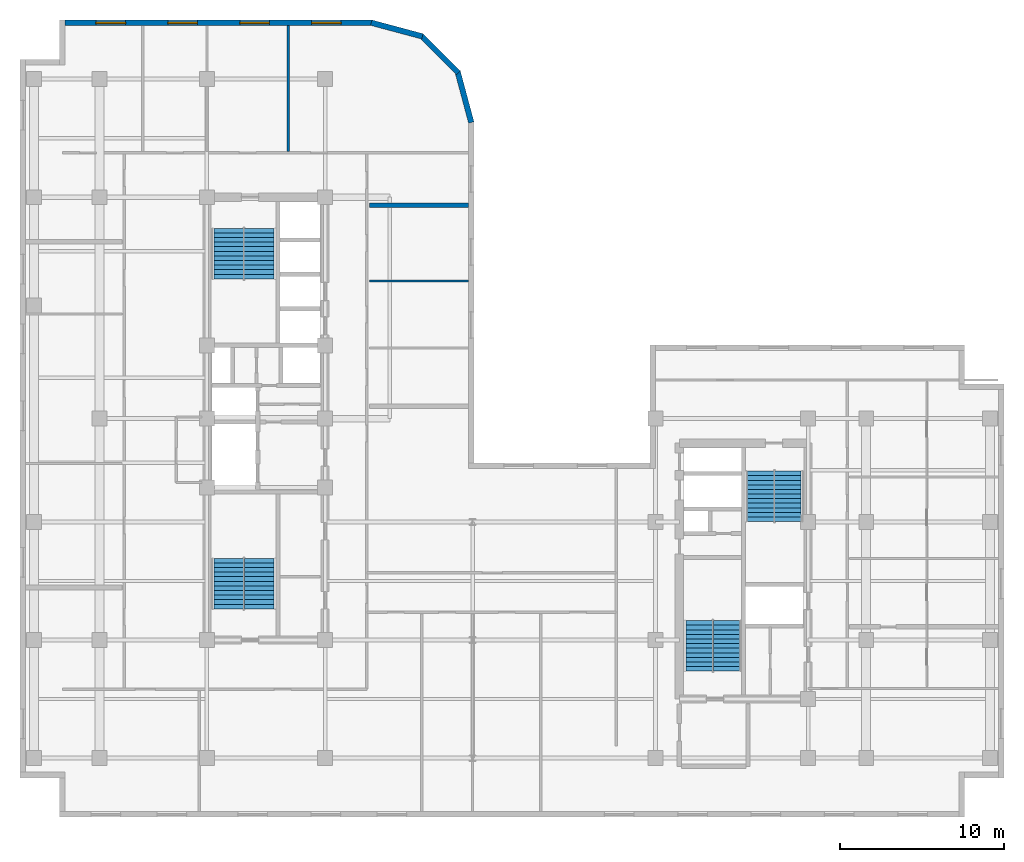
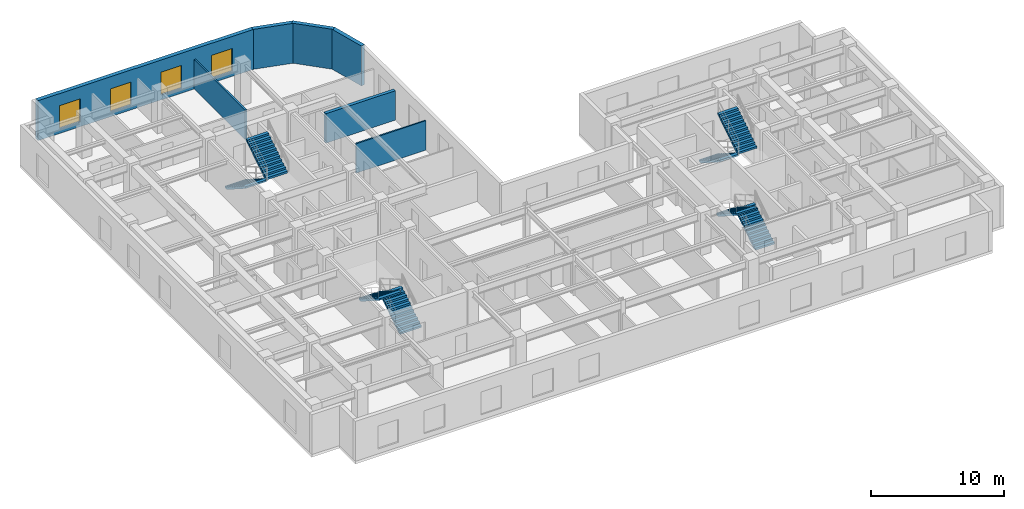
# One storey, part 8 of 11: 8 stair flights, 7 walls, 4 windows, 4 openings, 4 elements without a shape of their own.
"""IFC4 building model written with IfcOpenShell, lengths in metres."""

import ifcopenshell
import ifcopenshell.guid

model = None  # the IFC model being written
_history = None  # IfcOwnerHistory: only IFC2X3 demands one
_inside = {}  # id of a spatial element -> (the spatial element, [elements in it])
_under = {}  # id of a project, library or spatial element -> (it, [spatial elements below it])
_declared = {}  # id of a project -> (the project, [libraries it declares])
_typed = {}  # id of a type object -> (the type object, [elements of that type])
_made_of = {}  # id of a material, layer set ... -> (it, [elements and type objects made of it])


def new_model(schema):
    """Start an empty IFC model of exactly this schema.

    Asked for "IFC4X3", IfcOpenShell would pick the latest addendum, in which some entities
    have other attributes; the version numbers below select the first issue.
    IFC2X3 requires an IfcOwnerHistory on every rooted entity: one is made here for all.
    """
    global model, _history
    if schema == "IFC4X3":
        model = ifcopenshell.file(schema_version=(4, 3, 0, 0))
    else:
        model = ifcopenshell.file(schema=schema)
    _inside.clear()
    _under.clear()
    _declared.clear()
    _typed.clear()
    _made_of.clear()
    _history = None
    if model.schema == "IFC2X3":
        org = make("IfcOrganization", Name="unknown")
        user = make(
            "IfcPersonAndOrganization",
            ThePerson=make("IfcPerson", FamilyName="unknown"),
            TheOrganization=org,
        )
        app = make(
            "IfcApplication",
            ApplicationDeveloper=org,
            Version="unknown",
            ApplicationFullName="unknown",
            ApplicationIdentifier="unknown",
        )
        _history = make(
            "IfcOwnerHistory",
            OwningUser=user,
            OwningApplication=app,
            ChangeAction="ADDED",
            CreationDate=0,
        )
    return model


def make(cls, **values):
    """One entity of the class cls with the attributes given. An attribute that is None is left unset."""
    return model.create_entity(
        cls, **{name: value for name, value in values.items() if value is not None}
    )


def entity(cls, *values):
    """Any entity or typed value of the class cls, its attributes in the order of the schema. None: left unset."""
    e = model.create_entity(cls)
    for i, value in enumerate(values):
        if value is not None:
            e[i] = value
    return e


def rooted(cls, **values):
    """An entity with a GlobalId (a new one), such as an element, a storey or a relation."""
    return make(cls, GlobalId=ifcopenshell.guid.new(), OwnerHistory=_history, **values)


def si_unit(unit_type, name, prefix=None):
    """IfcSIUnit, for example si_unit("LENGTHUNIT", "METRE", prefix="MILLI")."""
    return make("IfcSIUnit", UnitType=unit_type, Prefix=prefix, Name=name)


def converted_unit(unit_type, name, factor, base, dimensions=None, offset=None):
    """IfcConversionBasedUnit, such as the inch: factor (a typed value) times the base unit."""
    return make(
        "IfcConversionBasedUnit"
        if offset is None
        else "IfcConversionBasedUnitWithOffset",
        ConversionOffset=offset,
        Dimensions=None
        if dimensions is None
        else entity("IfcDimensionalExponents", *dimensions),
        UnitType=unit_type,
        Name=name,
        ConversionFactor=make(
            "IfcMeasureWithUnit", ValueComponent=factor, UnitComponent=base
        ),
    )


def assignment(units):
    """IfcUnitAssignment: the units of a project."""
    return None if units is None else make("IfcUnitAssignment", Units=units)


def point(xyz):
    """IfcCartesianPoint."""
    return None if xyz is None else make("IfcCartesianPoint", Coordinates=xyz)


def direction(xyz):
    """IfcDirection."""
    return None if xyz is None else make("IfcDirection", DirectionRatios=xyz)


def frame(location, z_axis=None, x_axis=None):
    """IfcAxis2Placement3D, a coordinate frame: its origin and axes. An axis left out is left unset."""
    return make(
        "IfcAxis2Placement3D",
        Location=point(location),
        Axis=direction(z_axis),
        RefDirection=direction(x_axis),
    )


def frame_2d(location, x_axis=None):
    """IfcAxis2Placement2D, a coordinate frame in the plane: its origin and x axis."""
    return make(
        "IfcAxis2Placement2D", Location=point(location), RefDirection=direction(x_axis)
    )


def origin_with_axes():
    """The frame at (0, 0, 0) with the z axis (0, 0, 1) and the x axis (1, 0, 0) written out."""
    return frame((0.0, 0.0, 0.0), z_axis=(0.0, 0.0, 1.0), x_axis=(1.0, 0.0, 0.0))


def origin_2d_with_axis():
    """The frame at (0, 0) in the plane with the x axis (1, 0) written out."""
    return frame_2d((0.0, 0.0), x_axis=(1.0, 0.0))


def place(relative_to, where):
    """IfcLocalPlacement: puts the frame where relative to a parent placement (None: the world)."""
    return make(
        "IfcLocalPlacement", PlacementRelTo=relative_to, RelativePlacement=where
    )


def context(
    kind, dimensions, precision=None, world=None, true_north=None, identifier=None
):
    """IfcGeometricRepresentationContext, for example the 3D "Model" context."""
    return make(
        "IfcGeometricRepresentationContext",
        ContextIdentifier=identifier,
        ContextType=kind,
        CoordinateSpaceDimension=dimensions,
        Precision=precision,
        WorldCoordinateSystem=world,
        TrueNorth=true_north,
    )


def subcontext(parent, identifier, kind, view, scale=None):
    """IfcGeometricRepresentationSubContext, for example "Body" below "Model"."""
    return make(
        "IfcGeometricRepresentationSubContext",
        ContextIdentifier=identifier,
        ContextType=kind,
        ParentContext=parent,
        TargetScale=scale,
        TargetView=view,
    )


def project(units=None, contexts=None):
    """IfcProject with its units and contexts."""
    return rooted(
        "IfcProject",
        Name="project",
        RepresentationContexts=contexts,
        UnitsInContext=assignment(units),
    )


def spatial(cls, under=None, at=None, **own):
    """A site, building, storey or space (cls), placed at a placement, below another one or the project."""
    s = rooted(cls, ObjectPlacement=at, **own)
    if under is not None:
        _under.setdefault(under.id(), (under, []))[1].append(s)
    return s


def polyline(points):
    """IfcPolyline through the points."""
    return make("IfcPolyline", Points=[point(p) for p in points])


def profile(cls, at=None, kind="AREA", **sizes):
    """A parametric profile (cls). Its sizes go by their IFC names, for example OverallWidth=200.0."""
    return make(cls, ProfileType=kind, Position=at, **sizes)


def rectangle(**sizes):
    """IfcRectangleProfileDef."""
    return profile("IfcRectangleProfileDef", **sizes)


def outline(outer, holes=None, kind="AREA"):
    """IfcArbitraryClosedProfileDef: a profile drawn as a closed curve; with holes, ...WithVoids."""
    if holes is None:
        return make("IfcArbitraryClosedProfileDef", ProfileType=kind, OuterCurve=outer)
    return make(
        "IfcArbitraryProfileDefWithVoids",
        ProfileType=kind,
        OuterCurve=outer,
        InnerCurves=holes,
    )


def extrude(swept, where, along, depth):
    """IfcExtrudedAreaSolid: the profile swept, set in the frame where, extruded along a direction by depth."""
    return make(
        "IfcExtrudedAreaSolid",
        SweptArea=swept,
        Position=where,
        ExtrudedDirection=direction(along),
        Depth=depth,
    )


def shape(context_of_items, identifier, shape_type, items):
    """IfcShapeRepresentation: the items that make up one representation, for example the "Body"."""
    return make(
        "IfcShapeRepresentation",
        ContextOfItems=context_of_items,
        RepresentationIdentifier=identifier,
        RepresentationType=shape_type,
        Items=items,
    )


def material(Name=None, Category=None):
    """IfcMaterial."""
    return make("IfcMaterial", Name=Name, Category=Category)


def layer(
    of_material, thickness, ventilated=None, Name=None, Category=None, Priority=None
):
    """IfcMaterialLayer: one layer of a wall or slab, of a material (None: an air gap)."""
    return make(
        "IfcMaterialLayer",
        Material=of_material,
        LayerThickness=thickness,
        IsVentilated=ventilated,
        Name=Name,
        Category=Category,
        Priority=Priority,
    )


def layer_set(layers, Name=None):
    """IfcMaterialLayerSet."""
    return make("IfcMaterialLayerSet", MaterialLayers=layers, LayerSetName=Name)


def made_of(thing, what):
    """Note that an element or type object is made of a material, layer set ...; save() writes the relation."""
    if what is not None:
        _made_of.setdefault(what.id(), (what, []))[1].append(thing)
    return thing


def type_object(cls, material=None, **own):
    """A type object (cls), such as IfcWallType, which elements share."""
    return made_of(rooted(cls, **own), material)


def element(
    cls,
    number,
    at=None,
    inside=None,
    cuts=None,
    type_object=None,
    material=None,
    context=None,
    identifier="Body",
    shape_type=None,
    held_by="IfcProductDefinitionShape",
    body=None,
    shapes=None,
    **own,
):
    """One element of the class cls, such as IfcWall. Its Tag is "e" and its number.

    at: its placement. inside: the storey or other place that contains it. cuts: it is an
    opening in that element (IfcRelVoidsElement). A single representation is given by context,
    identifier, shape_type and body (its items); several are given by shapes. held_by: the class
    of the entity that holds the representations. save() writes the other relations.
    """
    e = rooted(cls, Tag="e%d" % number, ObjectPlacement=at, **own)
    if body is not None:
        shapes = [shape(context, identifier, shape_type, body)]
    if shapes is not None:
        e.Representation = make(held_by, Representations=shapes)
    if inside is not None:
        _inside.setdefault(inside.id(), (inside, []))[1].append(e)
    if cuts is not None:
        rooted(
            "IfcRelVoidsElement", RelatingBuildingElement=cuts, RelatedOpeningElement=e
        )
    if type_object is not None:
        _typed.setdefault(type_object.id(), (type_object, []))[1].append(e)
    return made_of(e, material)


def fill(opening, filler):
    """IfcRelFillsElement: the door or window that sits in an opening."""
    return rooted(
        "IfcRelFillsElement",
        RelatingOpeningElement=opening,
        RelatedBuildingElement=filler,
    )


def aggregate(whole, parts):
    """IfcRelAggregates: a whole, such as a stair, and the parts it consists of."""
    return rooted("IfcRelAggregates", RelatingObject=whole, RelatedObjects=parts)


def save(model, path):
    """Write the relations noted so far, then the file.

    IfcRelAggregates (storeys below a building ...), IfcRelContainedInSpatialStructure (elements
    in a storey), IfcRelDefinesByType, IfcRelAssociatesMaterial and IfcRelDeclares: one each for
    every whole, place, type object, material and project.
    """
    for whole, parts in _under.values():
        aggregate(whole, parts)
    for where, things in _inside.values():
        rooted(
            "IfcRelContainedInSpatialStructure",
            RelatedElements=things,
            RelatingStructure=where,
        )
    for kind, things in _typed.values():
        rooted("IfcRelDefinesByType", RelatedObjects=things, RelatingType=kind)
    for what, things in _made_of.values():
        rooted("IfcRelAssociatesMaterial", RelatedObjects=things, RelatingMaterial=what)
    for by, libraries in _declared.values():
        rooted("IfcRelDeclares", RelatingContext=by, RelatedDefinitions=libraries)
    model.write(path)


model = new_model("IFC4")

# Units and contexts
model_context = context("Model", 3, precision=1e-05, world=origin_with_axes(), true_north=direction((0.0, 1.0)))
body_context = subcontext(model_context, "Body", "Model", "MODEL_VIEW")
ifc_project = project(units=[si_unit("LENGTHUNIT", "METRE"), si_unit("AREAUNIT", "SQUARE_METRE"), si_unit("VOLUMEUNIT", "CUBIC_METRE"), converted_unit("PLANEANGLEUNIT", "DEGREE", entity("IfcPlaneAngleMeasure", 0.017453292519943295), si_unit("PLANEANGLEUNIT", "RADIAN"), dimensions=[0, 0, 0, 0, 0, 0, 0]), si_unit("MASSUNIT", "GRAM", prefix="KILO"), si_unit("THERMODYNAMICTEMPERATUREUNIT", "KELVIN")], contexts=[model_context])

# Site, building, storey
site_placement = place(None, origin_with_axes())
site = spatial("IfcSite", under=ifc_project, at=site_placement, CompositionType="ELEMENT")
building_placement = place(site_placement, origin_with_axes())
building = spatial("IfcBuilding", under=site, at=building_placement, Name="Varnlund Millrace Tower", CompositionType="ELEMENT")
storey_placement = place(building_placement, frame((0.0, 0.0, 192.6), z_axis=(0.0, 0.0, 1.0), x_axis=(1.0, 0.0, 0.0)))
storey = spatial("IfcBuildingStorey", under=building, at=storey_placement, Name="L47", CompositionType="ELEMENT", Elevation=192.6)

# Wall, openings, windows
ifc_material_1 = material(Name="Precast concrete C50/60", Category="concrete")
ifc_layer_1 = layer(ifc_material_1, 0.34, Name="Precast concrete C50/60")
ifc_layer_set_1 = layer_set([ifc_layer_1], Name="Precast concrete C50/60")
wall_type_1 = type_object("IfcWallType", Name="Type-ExtWall-Precast-Upper-340", PredefinedType="SOLIDWALL", material=ifc_layer_set_1)
wall_1_placement = place(storey_placement, frame((2.74, 48.43, 0.0), z_axis=(0.0, 0.0, 1.0), x_axis=(1.0, 0.0, 0.0)))
wall_1 = element("IfcWall", 1, at=wall_1_placement, inside=storey, type_object=wall_type_1, Name="Type-ExtWall-Precast-Upper-340", PredefinedType="SOLIDWALL", context=body_context, shape_type="SweptSolid", body=[
    extrude(outline(polyline([(0.0, -0.17), (18.741, -0.17), (18.741, 0.17), (0.0, 0.17), (0.0, -0.17)])), origin_with_axes(), (0.0, 0.0, 1.0), 3.66),
])
opening_1_placement = place(wall_1_placement, frame((2.793, 0.0, 0.45), z_axis=(0.0, 0.0, 1.0), x_axis=(1.0, 0.0, 0.0)))
opening_1 = element("IfcOpeningElement", 2, at=opening_1_placement, cuts=wall_1, Name="Opening L47:WN-24", PredefinedType="OPENING", context=body_context, shape_type="SweptSolid", body=[
    extrude(rectangle(XDim=1.8, YDim=0.36, at=origin_2d_with_axis()), origin_with_axes(), (0.0, 0.0, 1.0), 2.1),
])
opening_2_placement = place(wall_1_placement, frame((7.178, 0.0, 0.45), z_axis=(0.0, 0.0, 1.0), x_axis=(1.0, 0.0, 0.0)))
opening_2 = element("IfcOpeningElement", 3, at=opening_2_placement, cuts=wall_1, Name="Opening L47:WN-25", PredefinedType="OPENING", context=body_context, shape_type="SweptSolid", body=[
    extrude(rectangle(XDim=1.8, YDim=0.36, at=origin_2d_with_axis()), origin_with_axes(), (0.0, 0.0, 1.0), 2.1),
])
opening_3_placement = place(wall_1_placement, frame((11.563, 0.0, 0.45), z_axis=(0.0, 0.0, 1.0), x_axis=(1.0, 0.0, 0.0)))
opening_3 = element("IfcOpeningElement", 4, at=opening_3_placement, cuts=wall_1, Name="Opening L47:WN-26", PredefinedType="OPENING", context=body_context, shape_type="SweptSolid", body=[
    extrude(rectangle(XDim=1.8, YDim=0.36, at=origin_2d_with_axis()), origin_with_axes(), (0.0, 0.0, 1.0), 2.1),
])
opening_4_placement = place(wall_1_placement, frame((15.948, 0.0, 0.45), z_axis=(0.0, 0.0, 1.0), x_axis=(1.0, 0.0, 0.0)))
opening_4 = element("IfcOpeningElement", 5, at=opening_4_placement, cuts=wall_1, Name="Opening L47:WN-27", PredefinedType="OPENING", context=body_context, shape_type="SweptSolid", body=[
    extrude(rectangle(XDim=1.8, YDim=0.36, at=origin_2d_with_axis()), origin_with_axes(), (0.0, 0.0, 1.0), 2.1),
])
ifc_material_2 = material(Name="Argon low-e triple glazing in thermally broken bronze frame", Category="glass")
window_type = type_object("IfcWindowType", Name="Type-Window-Punched-1800X2100", PartitioningType="SINGLE_PANEL", PredefinedType="WINDOW", material=ifc_material_2)
window_1_placement = place(wall_1_placement, frame((2.793, 0.0, 0.45), z_axis=(0.0, 0.0, 1.0), x_axis=(1.0, 0.0, 0.0)))
window_1 = element("IfcWindow", 6, at=window_1_placement, inside=storey, type_object=window_type, Name="Type-Window-Punched-1800X2100", OverallHeight=2.1, OverallWidth=1.8, PredefinedType="WINDOW", context=body_context, shape_type="SweptSolid", body=[
    extrude(rectangle(XDim=1.8, YDim=0.09, at=origin_2d_with_axis()), origin_with_axes(), (0.0, 0.0, 1.0), 2.1),
])
fill(opening_1, window_1)
window_2_placement = place(wall_1_placement, frame((7.178, 0.0, 0.45), z_axis=(0.0, 0.0, 1.0), x_axis=(1.0, 0.0, 0.0)))
window_2 = element("IfcWindow", 7, at=window_2_placement, inside=storey, type_object=window_type, Name="Type-Window-Punched-1800X2100", OverallHeight=2.1, OverallWidth=1.8, PredefinedType="WINDOW", context=body_context, shape_type="SweptSolid", body=[
    extrude(rectangle(XDim=1.8, YDim=0.09, at=origin_2d_with_axis()), origin_with_axes(), (0.0, 0.0, 1.0), 2.1),
])
fill(opening_2, window_2)
window_3_placement = place(wall_1_placement, frame((11.563, 0.0, 0.45), z_axis=(0.0, 0.0, 1.0), x_axis=(1.0, 0.0, 0.0)))
window_3 = element("IfcWindow", 8, at=window_3_placement, inside=storey, type_object=window_type, Name="Type-Window-Punched-1800X2100", OverallHeight=2.1, OverallWidth=1.8, PredefinedType="WINDOW", context=body_context, shape_type="SweptSolid", body=[
    extrude(rectangle(XDim=1.8, YDim=0.09, at=origin_2d_with_axis()), origin_with_axes(), (0.0, 0.0, 1.0), 2.1),
])
fill(opening_3, window_3)
window_4_placement = place(wall_1_placement, frame((15.948, 0.0, 0.45), z_axis=(0.0, 0.0, 1.0), x_axis=(1.0, 0.0, 0.0)))
window_4 = element("IfcWindow", 9, at=window_4_placement, inside=storey, type_object=window_type, Name="Type-Window-Punched-1800X2100", OverallHeight=2.1, OverallWidth=1.8, PredefinedType="WINDOW", context=body_context, shape_type="SweptSolid", body=[
    extrude(rectangle(XDim=1.8, YDim=0.09, at=origin_2d_with_axis()), origin_with_axes(), (0.0, 0.0, 1.0), 2.1),
])
fill(opening_4, window_4)

# Walls
wall_2_placement = place(storey_placement, frame((21.418, 48.441, 0.0), z_axis=(0.0, 0.0, 1.0), x_axis=(0.965905, -0.258896, 0.0)))
element("IfcWall", 10, at=wall_2_placement, inside=storey, type_object=wall_type_1, Name="Type-ExtWall-Precast-Upper-340", PredefinedType="SOLIDWALL", context=body_context, shape_type="SweptSolid", body=[
    extrude(outline(polyline([(0.0, -0.17), (3.229095, -0.17), (3.229095, 0.17), (0.0, 0.17), (0.0, -0.17)])), origin_with_axes(), (0.0, 0.0, 1.0), 3.66),
])
wall_3_placement = place(storey_placement, frame((24.447, 47.663, 0.0), z_axis=(0.0, 0.0, 1.0), x_axis=(0.707107, -0.707107, 0.0)))
element("IfcWall", 11, at=wall_3_placement, inside=storey, type_object=wall_type_1, Name="Type-ExtWall-Precast-Upper-340", PredefinedType="SOLIDWALL", context=body_context, shape_type="SweptSolid", body=[
    extrude(outline(polyline([(0.0, -0.17), (3.22865, -0.17), (3.22865, 0.17), (0.0, 0.17), (0.0, -0.17)])), origin_with_axes(), (0.0, 0.0, 1.0), 3.66),
])
wall_4_placement = place(storey_placement, frame((26.681, 45.475, 0.0), z_axis=(0.0, 0.0, 1.0), x_axis=(0.258896, -0.965905, 0.0)))
element("IfcWall", 12, at=wall_4_placement, inside=storey, type_object=wall_type_1, Name="Type-ExtWall-Precast-Upper-340", PredefinedType="SOLIDWALL", context=body_context, shape_type="SweptSolid", body=[
    extrude(outline(polyline([(0.0, -0.17), (3.229095, -0.17), (3.229095, 0.17), (0.0, 0.17), (0.0, -0.17)])), origin_with_axes(), (0.0, 0.0, 1.0), 3.66),
])
ifc_material_3 = material(Name="Double-stud STC-60 conference acoustic partition", Category="gypsum")
ifc_layer_2 = layer(ifc_material_3, 0.28, Name="Double-stud STC-60 conference acoustic partition")
ifc_layer_set_2 = layer_set([ifc_layer_2], Name="Double-stud STC-60 conference acoustic partition")
wall_type_2 = type_object("IfcWallType", Name="Type-Partition-Acoustic-280", PredefinedType="PARTITIONING", material=ifc_layer_set_2)
wall_5_placement = place(storey_placement, frame((21.3, 37.314, 0.0), z_axis=(0.0, 0.0, 1.0), x_axis=(1.0, 0.0, 0.0)))
element("IfcWall", 13, at=wall_5_placement, inside=storey, type_object=wall_type_2, Name="Type-Partition-Acoustic-280", PredefinedType="PARTITIONING", context=body_context, shape_type="SweptSolid", body=[
    extrude(outline(polyline([(0.0, -0.14), (6.046, -0.14), (6.046, 0.14), (0.0, 0.14), (0.0, -0.14)])), origin_with_axes(), (0.0, 0.0, 1.0), 2.7),
])
ifc_material_4 = material(Name="Acoustic STC-50 gypsum board partition", Category="gypsum")
ifc_layer_3 = layer(ifc_material_4, 0.15, Name="Acoustic STC-50 gypsum board partition")
ifc_layer_set_3 = layer_set([ifc_layer_3], Name="Acoustic STC-50 gypsum board partition")
wall_type_3 = type_object("IfcWallType", Name="Type-Partition-Demising-150", PredefinedType="PARTITIONING", material=ifc_layer_set_3)
wall_6_placement = place(storey_placement, frame((16.352, 40.6, 0.0), z_axis=(0.0, 0.0, 1.0), x_axis=(0.0, 1.0, 0.0)))
element("IfcWall", 14, at=wall_6_placement, inside=storey, type_object=wall_type_3, Name="Type-Partition-Demising-150", PredefinedType="PARTITIONING", context=body_context, shape_type="SweptSolid", body=[
    extrude(outline(polyline([(0.0, -0.075), (7.665, -0.075), (7.665, 0.075), (0.0, 0.075), (0.0, -0.075)])), origin_with_axes(), (0.0, 0.0, 1.0), 2.7),
])
ifc_material_5 = material(Name="Gypsum board tenant partition", Category="gypsum")
ifc_layer_4 = layer(ifc_material_5, 0.125, Name="Gypsum board tenant partition")
ifc_layer_set_4 = layer_set([ifc_layer_4], Name="Gypsum board tenant partition")
wall_type_4 = type_object("IfcWallType", Name="Type-Partition-Tenant-125", PredefinedType="PARTITIONING", material=ifc_layer_set_4)
wall_7_placement = place(storey_placement, frame((21.3, 32.695, 0.0), z_axis=(0.0, 0.0, 1.0), x_axis=(1.0, 0.0, 0.0)))
element("IfcWall", 15, at=wall_7_placement, inside=storey, type_object=wall_type_4, Name="Type-Partition-Tenant-125", PredefinedType="PARTITIONING", context=body_context, shape_type="SweptSolid", body=[
    extrude(outline(polyline([(0.0, -0.0625), (6.046, -0.0625), (6.046, 0.0625), (0.0, 0.0625), (0.0, -0.0625)])), origin_with_axes(), (0.0, 0.0, 1.0), 2.7),
])

# Stair, stair flights
ifc_material_6 = material(Name="Concrete C50/60", Category="concrete")
stair_type_1 = type_object("IfcStairType", Name="Type-Stair-Dogleg-165-390", PredefinedType="HALF_TURN_STAIR", material=ifc_material_6)
stair_1_placement = place(storey_placement, origin_with_axes())
stair_1 = element("IfcStair", 16, at=stair_1_placement, inside=storey, type_object=stair_type_1, Name="Type-Stair-Dogleg-165-390", PredefinedType="HALF_TURN_STAIR")
stair_flight_type_1 = type_object("IfcStairFlightType", Name="Type-Dogleg-Run-165-390", PredefinedType="STRAIGHT", material=ifc_material_1)
stair_flight_1_placement = place(storey_placement, frame((42.225, 8.9, 0.0), z_axis=(1.0, 0.0, 0.0), x_axis=(0.0, 1.0, 0.0)))
stair_flight_1 = element("IfcStairFlight", 17, at=stair_flight_1_placement, type_object=stair_flight_type_1, Name="ST-B1 flight 1", NumberOfRisers=11, NumberOfTreads=11, PredefinedType="STRAIGHT", RiserHeight=0.177273, TreadLength=0.28, context=body_context, shape_type="SweptSolid", body=[
    extrude(outline(polyline([(0.0, 0.0), (0.0, 0.177273), (0.28, 0.177273), (0.28, 0.354545), (0.56, 0.354545), (0.56, 0.531818), (0.84, 0.531818), (0.84, 0.709091), (1.12, 0.709091), (1.12, 0.886364), (1.4, 0.886364), (1.4, 1.063636), (1.68, 1.063636), (1.68, 1.240909), (1.96, 1.240909), (1.96, 1.418182), (2.24, 1.418182), (2.24, 1.595454), (2.52, 1.595454), (2.52, 1.772727), (2.8, 1.772727), (2.8, 1.95), (3.08, 1.95), (3.08, 1.8), (0.28, 0.0), (0.0, 0.0)])), origin_with_axes(), (0.0, 0.0, 1.0), 1.65),
])
stair_flight_2_placement = place(storey_placement, frame((42.275, 11.98, 1.95), z_axis=(-1.0, 0.0, 0.0), x_axis=(0.0, -1.0, 0.0)))
stair_flight_2 = element("IfcStairFlight", 18, at=stair_flight_2_placement, type_object=stair_flight_type_1, Name="ST-B1 flight 2", NumberOfRisers=11, NumberOfTreads=11, PredefinedType="STRAIGHT", RiserHeight=0.177273, TreadLength=0.28, context=body_context, shape_type="SweptSolid", body=[
    extrude(outline(polyline([(0.0, 0.0), (0.0, 0.177273), (0.28, 0.177273), (0.28, 0.354545), (0.56, 0.354545), (0.56, 0.531818), (0.84, 0.531818), (0.84, 0.709091), (1.12, 0.709091), (1.12, 0.886364), (1.4, 0.886364), (1.4, 1.063636), (1.68, 1.063636), (1.68, 1.240909), (1.96, 1.240909), (1.96, 1.418182), (2.24, 1.418182), (2.24, 1.595454), (2.52, 1.595454), (2.52, 1.772727), (2.8, 1.772727), (2.8, 1.95), (3.08, 1.95), (3.08, 1.8), (0.28, 0.0), (0.0, 0.0)])), origin_with_axes(), (0.0, 0.0, 1.0), 1.65),
])
aggregate(stair_1, [stair_flight_1, stair_flight_2])

stair_2_placement = place(storey_placement, origin_with_axes())
stair_2 = element("IfcStair", 19, at=stair_2_placement, inside=storey, type_object=stair_type_1, Name="Type-Stair-Dogleg-165-390", PredefinedType="HALF_TURN_STAIR")
stair_flight_3_placement = place(storey_placement, frame((46.025, 21.1, 0.0), z_axis=(-1.0, 0.0, 0.0), x_axis=(0.0, -1.0, 0.0)))
stair_flight_3 = element("IfcStairFlight", 20, at=stair_flight_3_placement, type_object=stair_flight_type_1, Name="ST-B2 flight 1", NumberOfRisers=11, NumberOfTreads=11, PredefinedType="STRAIGHT", RiserHeight=0.177273, TreadLength=0.28, context=body_context, shape_type="SweptSolid", body=[
    extrude(outline(polyline([(0.0, 0.0), (0.0, 0.177273), (0.28, 0.177273), (0.28, 0.354545), (0.56, 0.354545), (0.56, 0.531818), (0.84, 0.531818), (0.84, 0.709091), (1.12, 0.709091), (1.12, 0.886364), (1.4, 0.886364), (1.4, 1.063636), (1.68, 1.063636), (1.68, 1.240909), (1.96, 1.240909), (1.96, 1.418182), (2.24, 1.418182), (2.24, 1.595454), (2.52, 1.595454), (2.52, 1.772727), (2.8, 1.772727), (2.8, 1.95), (3.08, 1.95), (3.08, 1.8), (0.28, 0.0), (0.0, 0.0)])), origin_with_axes(), (0.0, 0.0, 1.0), 1.65),
])
stair_flight_4_placement = place(storey_placement, frame((45.975, 18.02, 1.95), z_axis=(1.0, 0.0, 0.0), x_axis=(0.0, 1.0, 0.0)))
stair_flight_4 = element("IfcStairFlight", 21, at=stair_flight_4_placement, type_object=stair_flight_type_1, Name="ST-B2 flight 2", NumberOfRisers=11, NumberOfTreads=11, PredefinedType="STRAIGHT", RiserHeight=0.177273, TreadLength=0.28, context=body_context, shape_type="SweptSolid", body=[
    extrude(outline(polyline([(0.0, 0.0), (0.0, 0.177273), (0.28, 0.177273), (0.28, 0.354545), (0.56, 0.354545), (0.56, 0.531818), (0.84, 0.531818), (0.84, 0.709091), (1.12, 0.709091), (1.12, 0.886364), (1.4, 0.886364), (1.4, 1.063636), (1.68, 1.063636), (1.68, 1.240909), (1.96, 1.240909), (1.96, 1.418182), (2.24, 1.418182), (2.24, 1.595454), (2.52, 1.595454), (2.52, 1.772727), (2.8, 1.772727), (2.8, 1.95), (3.08, 1.95), (3.08, 1.8), (0.28, 0.0), (0.0, 0.0)])), origin_with_axes(), (0.0, 0.0, 1.0), 1.65),
])
aggregate(stair_2, [stair_flight_3, stair_flight_4])

stair_type_2 = type_object("IfcStairType", Name="Type-Stair-Dogleg-185-390", PredefinedType="HALF_TURN_STAIR", material=ifc_material_6)
stair_3_placement = place(storey_placement, origin_with_axes())
stair_3 = element("IfcStair", 22, at=stair_3_placement, inside=storey, type_object=stair_type_2, Name="Type-Stair-Dogleg-185-390", PredefinedType="HALF_TURN_STAIR")
stair_flight_type_2 = type_object("IfcStairFlightType", Name="Type-Dogleg-Run-185-390", PredefinedType="STRAIGHT", material=ifc_material_1)
stair_flight_5_placement = place(storey_placement, frame((13.625, 12.7, 0.0), z_axis=(1.0, 0.0, 0.0), x_axis=(0.0, 1.0, 0.0)))
stair_flight_5 = element("IfcStairFlight", 23, at=stair_flight_5_placement, type_object=stair_flight_type_2, Name="ST-A1 flight 1", NumberOfRisers=11, NumberOfTreads=11, PredefinedType="STRAIGHT", RiserHeight=0.177273, TreadLength=0.28, context=body_context, shape_type="SweptSolid", body=[
    extrude(outline(polyline([(0.0, 0.0), (0.0, 0.177273), (0.28, 0.177273), (0.28, 0.354545), (0.56, 0.354545), (0.56, 0.531818), (0.84, 0.531818), (0.84, 0.709091), (1.12, 0.709091), (1.12, 0.886364), (1.4, 0.886364), (1.4, 1.063636), (1.68, 1.063636), (1.68, 1.240909), (1.96, 1.240909), (1.96, 1.418182), (2.24, 1.418182), (2.24, 1.595454), (2.52, 1.595454), (2.52, 1.772727), (2.8, 1.772727), (2.8, 1.95), (3.08, 1.95), (3.08, 1.8), (0.28, 0.0), (0.0, 0.0)])), origin_with_axes(), (0.0, 0.0, 1.0), 1.85),
])
stair_flight_6_placement = place(storey_placement, frame((13.675, 15.78, 1.95), z_axis=(-1.0, 0.0, 0.0), x_axis=(0.0, -1.0, 0.0)))
stair_flight_6 = element("IfcStairFlight", 24, at=stair_flight_6_placement, type_object=stair_flight_type_2, Name="ST-A1 flight 2", NumberOfRisers=11, NumberOfTreads=11, PredefinedType="STRAIGHT", RiserHeight=0.177273, TreadLength=0.28, context=body_context, shape_type="SweptSolid", body=[
    extrude(outline(polyline([(0.0, 0.0), (0.0, 0.177273), (0.28, 0.177273), (0.28, 0.354545), (0.56, 0.354545), (0.56, 0.531818), (0.84, 0.531818), (0.84, 0.709091), (1.12, 0.709091), (1.12, 0.886364), (1.4, 0.886364), (1.4, 1.063636), (1.68, 1.063636), (1.68, 1.240909), (1.96, 1.240909), (1.96, 1.418182), (2.24, 1.418182), (2.24, 1.595454), (2.52, 1.595454), (2.52, 1.772727), (2.8, 1.772727), (2.8, 1.95), (3.08, 1.95), (3.08, 1.8), (0.28, 0.0), (0.0, 0.0)])), origin_with_axes(), (0.0, 0.0, 1.0), 1.85),
])
aggregate(stair_3, [stair_flight_5, stair_flight_6])

stair_4_placement = place(storey_placement, origin_with_axes())
stair_4 = element("IfcStair", 25, at=stair_4_placement, inside=storey, type_object=stair_type_2, Name="Type-Stair-Dogleg-185-390", PredefinedType="HALF_TURN_STAIR")
stair_flight_7_placement = place(storey_placement, frame((13.675, 35.9, 0.0), z_axis=(-1.0, 0.0, 0.0), x_axis=(0.0, -1.0, 0.0)))
stair_flight_7 = element("IfcStairFlight", 26, at=stair_flight_7_placement, type_object=stair_flight_type_2, Name="ST-A2 flight 1", NumberOfRisers=11, NumberOfTreads=11, PredefinedType="STRAIGHT", RiserHeight=0.177273, TreadLength=0.28, context=body_context, shape_type="SweptSolid", body=[
    extrude(outline(polyline([(0.0, 0.0), (0.0, 0.177273), (0.28, 0.177273), (0.28, 0.354545), (0.56, 0.354545), (0.56, 0.531818), (0.84, 0.531818), (0.84, 0.709091), (1.12, 0.709091), (1.12, 0.886364), (1.4, 0.886364), (1.4, 1.063636), (1.68, 1.063636), (1.68, 1.240909), (1.96, 1.240909), (1.96, 1.418182), (2.24, 1.418182), (2.24, 1.595454), (2.52, 1.595454), (2.52, 1.772727), (2.8, 1.772727), (2.8, 1.95), (3.08, 1.95), (3.08, 1.8), (0.28, 0.0), (0.0, 0.0)])), origin_with_axes(), (0.0, 0.0, 1.0), 1.85),
])
stair_flight_8_placement = place(storey_placement, frame((13.625, 32.82, 1.95), z_axis=(1.0, 0.0, 0.0), x_axis=(0.0, 1.0, 0.0)))
stair_flight_8 = element("IfcStairFlight", 27, at=stair_flight_8_placement, type_object=stair_flight_type_2, Name="ST-A2 flight 2", NumberOfRisers=11, NumberOfTreads=11, PredefinedType="STRAIGHT", RiserHeight=0.177273, TreadLength=0.28, context=body_context, shape_type="SweptSolid", body=[
    extrude(outline(polyline([(0.0, 0.0), (0.0, 0.177273), (0.28, 0.177273), (0.28, 0.354545), (0.56, 0.354545), (0.56, 0.531818), (0.84, 0.531818), (0.84, 0.709091), (1.12, 0.709091), (1.12, 0.886364), (1.4, 0.886364), (1.4, 1.063636), (1.68, 1.063636), (1.68, 1.240909), (1.96, 1.240909), (1.96, 1.418182), (2.24, 1.418182), (2.24, 1.595454), (2.52, 1.595454), (2.52, 1.772727), (2.8, 1.772727), (2.8, 1.95), (3.08, 1.95), (3.08, 1.8), (0.28, 0.0), (0.0, 0.0)])), origin_with_axes(), (0.0, 0.0, 1.0), 1.85),
])
aggregate(stair_4, [stair_flight_7, stair_flight_8])

save(model, "model.ifc")
